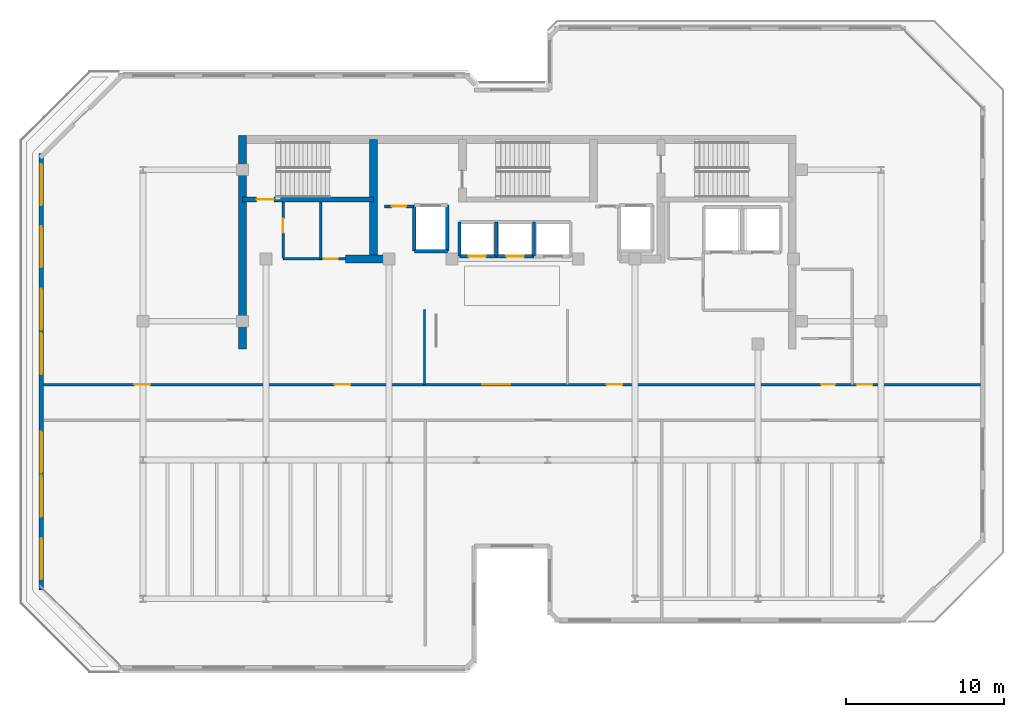
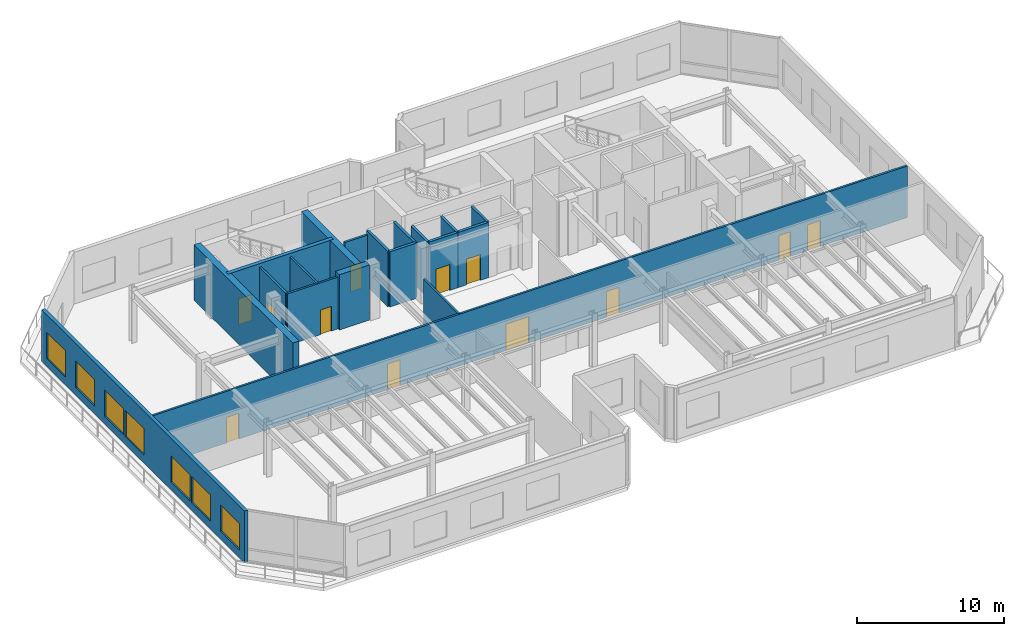
# One storey, part 6 of 14: 19 walls, 12 doors, 7 windows, 19 openings.
"""IFC4 building model written with IfcOpenShell, lengths in metres."""

from ifc_helpers import new_model, si_unit, direction, frame, frame_2d, origin, place, context, subcontext, project, spatial, rectangle, extrude, material, layer, layer_set, type_object, element, fill, save


model = new_model("IFC4")

# Units and contexts
model_context = context("Model", 3, precision=1e-05, world=origin(), true_north=direction((0.0, 1.0)))
body_context = subcontext(model_context, "Body", "Model", "MODEL_VIEW")
ifc_project = project(units=[si_unit("LENGTHUNIT", "METRE"), si_unit("AREAUNIT", "SQUARE_METRE"), si_unit("VOLUMEUNIT", "CUBIC_METRE"), si_unit("PLANEANGLEUNIT", "RADIAN"), si_unit("MASSUNIT", "GRAM", prefix="KILO")], contexts=[model_context])

# Site, building, storey
site_placement = place(None, origin())
site = spatial("IfcSite", under=ifc_project, at=site_placement, CompositionType="ELEMENT")
building_placement = place(site_placement, origin())
building = spatial("IfcBuilding", under=site, at=building_placement, Name="Kestravale Grand Hotel", CompositionType="ELEMENT")
storey_placement = place(building_placement, frame((0.0, 0.0, 297.39990234375)))
storey = spatial("IfcBuildingStorey", under=building, at=storey_placement, Name="L74", CompositionType="ELEMENT", Elevation=297.39990234375)

# Walls
ifc_material_1 = material(Name="Concrete f'c 50 MPa", Category="concrete")
ifc_layer_1 = layer(ifc_material_1, 0.5)
ifc_layer_set_1 = layer_set([ifc_layer_1], Name="EW-CORE-500")
wall_type_1 = type_object("IfcWallType", Name="EW-CORE-500", PredefinedType="SHEAR", material=ifc_layer_set_1)
wall_1_placement = place(storey_placement, frame((21.89990234375, 27.050048828125, 0.0), z_axis=(0.0, 0.0, 1.0), x_axis=(0.0, 1.0, 0.0)))
element("IfcWall", 1, at=wall_1_placement, inside=storey, type_object=wall_type_1, Name="L74 core shear wall W1", PredefinedType="SHEAR", context=body_context, shape_type="SweptSolid", body=[
    extrude(rectangle(XDim=13.52001953125, YDim=0.5, at=frame_2d((6.760009765625, 0.0))), origin(), (0.0, 0.0, 1.0), 4.60009765625),
])
wall_2_placement = place(storey_placement, frame((28.449951171875, 32.75, 0.0), z_axis=(0.0, 0.0, 1.0), x_axis=(1.0, 0.0, 0.0)))
element("IfcWall", 2, at=wall_2_placement, inside=storey, type_object=wall_type_1, Name="L74 core shear wall S1", PredefinedType="SHEAR", context=body_context, shape_type="SweptSolid", body=[
    extrude(rectangle(XDim=2.400146484375, YDim=0.5, at=frame_2d((1.2001953125, 0.0))), origin(), (0.0, 0.0, 1.0), 4.60009765625),
])
wall_3_placement = place(storey_placement, frame((30.219970703125, 33.0, 0.0), z_axis=(0.0, 0.0, 1.0), x_axis=(0.0, 1.0, 0.0)))
element("IfcWall", 3, at=wall_3_placement, inside=storey, type_object=wall_type_1, Name="L74 core shear wall X1", PredefinedType="SHEAR", context=body_context, shape_type="SweptSolid", body=[
    extrude(rectangle(XDim=7.320068359375, YDim=0.5, at=frame_2d((3.66015625, 0.0))), origin(), (0.0, 0.0, 1.0), 4.60009765625),
])

# Wall, openings, windows
ifc_material_2 = material(Name="Precast concrete f'c 45 MPa", Category="concrete")
ifc_layer_2 = layer(ifc_material_2, 0.280029296875)
ifc_layer_set_2 = layer_set([ifc_layer_2], Name="EW-PREC-280")
wall_type_2 = type_object("IfcWallType", Name="EW-PREC-280", PredefinedType="SOLIDWALL", material=ifc_layer_set_2)
wall_4_placement = place(storey_placement, frame((9.139892578125, 39.43994140625, 0.0), z_axis=(0.0, 0.0, 1.0), x_axis=(0.0, -1.0, 0.0)))
wall_4 = element("IfcWall", 4, at=wall_4_placement, inside=storey, type_object=wall_type_2, Name="L74 fluted precast facade wall 19", PredefinedType="SOLIDWALL", context=body_context, shape_type="SweptSolid", body=[
    extrude(rectangle(XDim=27.679931640625, YDim=0.280029296875, at=frame_2d((13.83984375, 0.0))), origin(), (0.0, 0.0, 1.0), 4.31005859375),
])
opening_1_placement = place(wall_4_placement, frame((0.677001953125, 0.0, 0.64990234375)))
opening_1 = element("IfcOpeningElement", 5, at=opening_1_placement, cuts=wall_4, Name="Opening W-SKY-2600", PredefinedType="OPENING", context=body_context, shape_type="SweptSolid", body=[
    extrude(rectangle(XDim=2.60009765625, YDim=2.199951171875, at=frame_2d((1.300048828125, 1.10009765625))), frame((0.0, 0.14990234375, 0.0), z_axis=(0.0, -1.0, 0.0), x_axis=(1.0, 0.0, 0.0)), (0.0, 0.0, 1.0), 0.300048828125),
])
opening_2_placement = place(wall_4_placement, frame((4.63134765625, 0.0, 0.64990234375)))
opening_2 = element("IfcOpeningElement", 6, at=opening_2_placement, cuts=wall_4, Name="Opening W-SKY-2600", PredefinedType="OPENING", context=body_context, shape_type="SweptSolid", body=[
    extrude(rectangle(XDim=2.60009765625, YDim=2.199951171875, at=frame_2d((1.300048828125, 1.10009765625))), frame((0.0, 0.14990234375, 0.0), z_axis=(0.0, -1.0, 0.0), x_axis=(1.0, 0.0, 0.0)), (0.0, 0.0, 1.0), 0.300048828125),
])
opening_3_placement = place(wall_4_placement, frame((8.585693359375, 0.0, 0.64990234375)))
opening_3 = element("IfcOpeningElement", 7, at=opening_3_placement, cuts=wall_4, Name="Opening W-SKY-2600", PredefinedType="OPENING", context=body_context, shape_type="SweptSolid", body=[
    extrude(rectangle(XDim=2.60009765625, YDim=2.199951171875, at=frame_2d((1.300048828125, 1.10009765625))), frame((0.0, 0.14990234375, 0.0), z_axis=(0.0, -1.0, 0.0), x_axis=(1.0, 0.0, 0.0)), (0.0, 0.0, 1.0), 0.300048828125),
])
opening_4_placement = place(wall_4_placement, frame((11.389892578125, 0.0, 0.64990234375)))
opening_4 = element("IfcOpeningElement", 8, at=opening_4_placement, cuts=wall_4, Name="Opening W-SKY-2600", PredefinedType="OPENING", context=body_context, shape_type="SweptSolid", body=[
    extrude(rectangle(XDim=2.60009765625, YDim=2.199951171875, at=frame_2d((1.300048828125, 1.10009765625))), frame((0.0, 0.14990234375, 0.0), z_axis=(0.0, -1.0, 0.0), x_axis=(1.0, 0.0, 0.0)), (0.0, 0.0, 1.0), 0.300048828125),
])
opening_5_placement = place(wall_4_placement, frame((17.644287109375, 0.0, 0.64990234375)))
opening_5 = element("IfcOpeningElement", 9, at=opening_5_placement, cuts=wall_4, Name="Opening W-SKY-2600", PredefinedType="OPENING", context=body_context, shape_type="SweptSolid", body=[
    extrude(rectangle(XDim=2.60009765625, YDim=2.199951171875, at=frame_2d((1.300048828125, 1.10009765625))), frame((0.0, 0.14990234375, 0.0), z_axis=(0.0, -1.0, 0.0), x_axis=(1.0, 0.0, 0.0)), (0.0, 0.0, 1.0), 0.300048828125),
])
opening_6_placement = place(wall_4_placement, frame((20.448486328125, 0.0, 0.64990234375)))
opening_6 = element("IfcOpeningElement", 10, at=opening_6_placement, cuts=wall_4, Name="Opening W-SKY-2600", PredefinedType="OPENING", context=body_context, shape_type="SweptSolid", body=[
    extrude(rectangle(XDim=2.60009765625, YDim=2.199951171875, at=frame_2d((1.300048828125, 1.10009765625))), frame((0.0, 0.14990234375, 0.0), z_axis=(0.0, -1.0, 0.0), x_axis=(1.0, 0.0, 0.0)), (0.0, 0.0, 1.0), 0.300048828125),
])
opening_7_placement = place(wall_4_placement, frame((24.40283203125, 0.0, 0.64990234375)))
opening_7 = element("IfcOpeningElement", 11, at=opening_7_placement, cuts=wall_4, Name="Opening W-SKY-2600", PredefinedType="OPENING", context=body_context, shape_type="SweptSolid", body=[
    extrude(rectangle(XDim=2.60009765625, YDim=2.199951171875, at=frame_2d((1.300048828125, 1.10009765625))), frame((0.0, 0.14990234375, 0.0), z_axis=(0.0, -1.0, 0.0), x_axis=(1.0, 0.0, 0.0)), (0.0, 0.0, 1.0), 0.300048828125),
])
ifc_material_3 = material(Name="Insulated low-E double glazing in aluminium frame", Category="aluminium")
window_type = type_object("IfcWindowType", Name="W-SKY-2600", PartitioningType="TRIPLE_PANEL_VERTICAL", PredefinedType="WINDOW", material=ifc_material_3)
window_1_placement = place(opening_1_placement, origin())
window_1 = element("IfcWindow", 12, at=window_1_placement, inside=storey, type_object=window_type, Name="L74 exterior window 19.1", OverallHeight=2.199951171875, OverallWidth=2.60009765625, PartitioningType="SINGLE_PANEL", PredefinedType="WINDOW", context=body_context, shape_type="SweptSolid", body=[
    extrude(rectangle(XDim=2.60009765625, YDim=2.199951171875, at=frame_2d((1.300048828125, 1.10009765625))), frame((0.0, 0.030029296875, 0.0), z_axis=(0.0, -1.0, 0.0), x_axis=(1.0, 0.0, 0.0)), (0.0, 0.0, 1.0), 0.06005859375),
])
fill(opening_1, window_1)
window_2_placement = place(opening_2_placement, origin())
window_2 = element("IfcWindow", 13, at=window_2_placement, inside=storey, type_object=window_type, Name="L74 exterior window 19.2", OverallHeight=2.199951171875, OverallWidth=2.60009765625, PartitioningType="SINGLE_PANEL", PredefinedType="WINDOW", context=body_context, shape_type="SweptSolid", body=[
    extrude(rectangle(XDim=2.60009765625, YDim=2.199951171875, at=frame_2d((1.300048828125, 1.10009765625))), frame((0.0, 0.030029296875, 0.0), z_axis=(0.0, -1.0, 0.0), x_axis=(1.0, 0.0, 0.0)), (0.0, 0.0, 1.0), 0.06005859375),
])
fill(opening_2, window_2)
window_3_placement = place(opening_3_placement, origin())
window_3 = element("IfcWindow", 14, at=window_3_placement, inside=storey, type_object=window_type, Name="L74 exterior window 19.3", OverallHeight=2.199951171875, OverallWidth=2.60009765625, PartitioningType="SINGLE_PANEL", PredefinedType="WINDOW", context=body_context, shape_type="SweptSolid", body=[
    extrude(rectangle(XDim=2.60009765625, YDim=2.199951171875, at=frame_2d((1.300048828125, 1.10009765625))), frame((0.0, 0.030029296875, 0.0), z_axis=(0.0, -1.0, 0.0), x_axis=(1.0, 0.0, 0.0)), (0.0, 0.0, 1.0), 0.06005859375),
])
fill(opening_3, window_3)
window_4_placement = place(opening_4_placement, origin())
window_4 = element("IfcWindow", 15, at=window_4_placement, inside=storey, type_object=window_type, Name="L74 exterior window 19.4", OverallHeight=2.199951171875, OverallWidth=2.60009765625, PartitioningType="SINGLE_PANEL", PredefinedType="WINDOW", context=body_context, shape_type="SweptSolid", body=[
    extrude(rectangle(XDim=2.60009765625, YDim=2.199951171875, at=frame_2d((1.300048828125, 1.10009765625))), frame((0.0, 0.030029296875, 0.0), z_axis=(0.0, -1.0, 0.0), x_axis=(1.0, 0.0, 0.0)), (0.0, 0.0, 1.0), 0.06005859375),
])
fill(opening_4, window_4)
window_5_placement = place(opening_5_placement, origin())
window_5 = element("IfcWindow", 16, at=window_5_placement, inside=storey, type_object=window_type, Name="L74 exterior window 19.5", OverallHeight=2.199951171875, OverallWidth=2.60009765625, PartitioningType="SINGLE_PANEL", PredefinedType="WINDOW", context=body_context, shape_type="SweptSolid", body=[
    extrude(rectangle(XDim=2.60009765625, YDim=2.199951171875, at=frame_2d((1.300048828125, 1.10009765625))), frame((0.0, 0.030029296875, 0.0), z_axis=(0.0, -1.0, 0.0), x_axis=(1.0, 0.0, 0.0)), (0.0, 0.0, 1.0), 0.06005859375),
])
fill(opening_5, window_5)
window_6_placement = place(opening_6_placement, origin())
window_6 = element("IfcWindow", 17, at=window_6_placement, inside=storey, type_object=window_type, Name="L74 exterior window 19.6", OverallHeight=2.199951171875, OverallWidth=2.60009765625, PartitioningType="SINGLE_PANEL", PredefinedType="WINDOW", context=body_context, shape_type="SweptSolid", body=[
    extrude(rectangle(XDim=2.60009765625, YDim=2.199951171875, at=frame_2d((1.300048828125, 1.10009765625))), frame((0.0, 0.030029296875, 0.0), z_axis=(0.0, -1.0, 0.0), x_axis=(1.0, 0.0, 0.0)), (0.0, 0.0, 1.0), 0.06005859375),
])
fill(opening_6, window_6)
window_7_placement = place(opening_7_placement, origin())
window_7 = element("IfcWindow", 18, at=window_7_placement, inside=storey, type_object=window_type, Name="L74 exterior window 19.7", OverallHeight=2.199951171875, OverallWidth=2.60009765625, PartitioningType="SINGLE_PANEL", PredefinedType="WINDOW", context=body_context, shape_type="SweptSolid", body=[
    extrude(rectangle(XDim=2.60009765625, YDim=2.199951171875, at=frame_2d((1.300048828125, 1.10009765625))), frame((0.0, 0.030029296875, 0.0), z_axis=(0.0, -1.0, 0.0), x_axis=(1.0, 0.0, 0.0)), (0.0, 0.0, 1.0), 0.06005859375),
])
fill(opening_7, window_7)

# Wall, opening, door
ifc_material_4 = material(Name="Concrete f'c 45 MPa", Category="concrete")
ifc_layer_3 = layer(ifc_material_4, 0.300048828125)
ifc_layer_set_3 = layer_set([ifc_layer_3], Name="EW-STAIR-300")
wall_type_3 = type_object("IfcWallType", Name="EW-STAIR-300", PredefinedType="SHEAR", material=ifc_layer_set_3)
wall_5_placement = place(storey_placement, frame((21.89990234375, 36.52001953125, 0.0), z_axis=(0.0, 0.0, 1.0), x_axis=(1.0, 0.0, 0.0)))
wall_5 = element("IfcWall", 19, at=wall_5_placement, inside=storey, type_object=wall_type_3, Name="L74 stair enclosure shear wall SST1", PredefinedType="SHEAR", context=body_context, shape_type="SweptSolid", body=[
    extrude(rectangle(XDim=8.320068359375, YDim=0.300048828125, at=frame_2d((4.16015625, 0.0))), origin(), (0.0, 0.0, 1.0), 4.60009765625),
])
opening_8_placement = place(wall_5_placement, frame((0.89990234375, 0.0, 0.0)))
opening_8 = element("IfcOpeningElement", 20, at=opening_8_placement, cuts=wall_5, Name="Opening D-ST-1100", PredefinedType="OPENING", context=body_context, shape_type="SweptSolid", body=[
    extrude(rectangle(XDim=1.10009765625, YDim=2.14990234375, at=frame_2d((0.550048828125, 1.074951171875))), frame((0.0, 0.159912109375, 0.0), z_axis=(0.0, -1.0, 0.0), x_axis=(1.0, 0.0, 0.0)), (0.0, 0.0, 1.0), 0.320068359375),
])
ifc_material_5 = material(Name="Galvanised 90-minute fire-rated steel stair door", Category="steel")
door_type_1 = type_object("IfcDoorType", Name="D-ST-1100", OperationType="NOTDEFINED", PredefinedType="DOOR", material=ifc_material_5)
door_1_placement = place(opening_8_placement, origin())
door_1 = element("IfcDoor", 21, at=door_1_placement, inside=storey, type_object=door_type_1, Name="L74 Stair ST-1 fire door", OperationType="SINGLE_SWING_RIGHT", OverallHeight=2.14990234375, OverallWidth=1.10009765625, PredefinedType="DOOR", context=body_context, shape_type="SweptSolid", body=[
    extrude(rectangle(XDim=1.10009765625, YDim=2.14990234375, at=frame_2d((0.550048828125, 1.074951171875))), frame((0.0, 0.02490234375, 0.0), z_axis=(0.0, -1.0, 0.0), x_axis=(1.0, 0.0, 0.0)), (0.0, 0.0, 1.0), 0.050048828125),
])
fill(opening_8, door_1)

ifc_material_6 = material(Name="Acoustic fire-rated gypsum board partition", Category="other")
ifc_layer_4 = layer(ifc_material_6, 0.159912109375)
ifc_layer_set_4 = layer_set([ifc_layer_4], Name="IW-CORR-160")
wall_type_4 = type_object("IfcWallType", Name="IW-CORR-160", PredefinedType="PARTITIONING", material=ifc_layer_set_4)
wall_6_placement = place(storey_placement, frame((24.47998046875, 32.800048828125, 0.0), z_axis=(0.0, 0.0, 1.0), x_axis=(0.0, 1.0, 0.0)))
wall_6 = element("IfcWall", 22, at=wall_6_placement, inside=storey, type_object=wall_type_4, Name="L74 west core vestibule wall", PredefinedType="PARTITIONING", context=body_context, shape_type="SweptSolid", body=[
    extrude(rectangle(XDim=3.570068359375, YDim=0.159912109375, at=frame_2d((1.78515625, 0.0))), origin(), (0.0, 0.0, 1.0), 4.31005859375),
])
opening_9_placement = place(wall_6_placement, frame((1.603515625, 0.0, 0.0)))
opening_9 = element("IfcOpeningElement", 23, at=opening_9_placement, cuts=wall_6, Name="Opening D-SH-900", PredefinedType="OPENING", context=body_context, shape_type="SweptSolid", body=[
    extrude(rectangle(XDim=0.89990234375, YDim=2.10009765625, at=frame_2d((0.449951171875, 1.050048828125))), frame((0.0, 0.08984375, 0.0), z_axis=(0.0, -1.0, 0.0), x_axis=(1.0, 0.0, 0.0)), (0.0, 0.0, 1.0), 0.179931640625),
])
ifc_material_7 = material(Name="Galvanised 90-minute shaft and service fire door", Category="steel")
door_type_2 = type_object("IfcDoorType", Name="D-SH-900", OperationType="NOTDEFINED", PredefinedType="DOOR", material=ifc_material_7)
door_2_placement = place(opening_9_placement, origin())
door_2 = element("IfcDoor", 24, at=door_2_placement, inside=storey, type_object=door_type_2, Name="D-L74-HK", OperationType="SINGLE_SWING_RIGHT", OverallHeight=2.10009765625, OverallWidth=0.89990234375, PredefinedType="DOOR", context=body_context, shape_type="SweptSolid", body=[
    extrude(rectangle(XDim=0.89990234375, YDim=2.10009765625, at=frame_2d((0.449951171875, 1.050048828125))), frame((0.0, 0.02490234375, 0.0), z_axis=(0.0, -1.0, 0.0), x_axis=(1.0, 0.0, 0.0)), (0.0, 0.0, 1.0), 0.050048828125),
])
fill(opening_9, door_2)

wall_7_placement = place(storey_placement, frame((24.47998046875, 32.75, 0.0), z_axis=(0.0, 0.0, 1.0), x_axis=(1.0, 0.0, 0.0)))
wall_7 = element("IfcWall", 25, at=wall_7_placement, inside=storey, type_object=wall_type_4, Name="W-L74-CWS", PredefinedType="PARTITIONING", context=body_context, shape_type="SweptSolid", body=[
    extrude(rectangle(XDim=3.969970703125, YDim=0.159912109375, at=frame_2d((1.98486328125, 0.0))), origin(), (0.0, 0.0, 1.0), 4.31005859375),
])
opening_10_placement = place(wall_7_placement, frame((2.574951171875, 0.0, 0.0)))
opening_10 = element("IfcOpeningElement", 26, at=opening_10_placement, cuts=wall_7, Name="Opening D-BATH-880", PredefinedType="OPENING", context=body_context, shape_type="SweptSolid", body=[
    extrude(rectangle(XDim=0.8798828125, YDim=2.050048828125, at=frame_2d((0.43994140625, 1.02490234375))), frame((0.0, 0.08984375, 0.0), z_axis=(0.0, -1.0, 0.0), x_axis=(1.0, 0.0, 0.0)), (0.0, 0.0, 1.0), 0.179931640625),
])
ifc_material_8 = material(Name="Moisture-sealed walnut en-suite bathroom door", Category="wood")
door_type_3 = type_object("IfcDoorType", Name="D-BATH-880", OperationType="NOTDEFINED", PredefinedType="DOOR", material=ifc_material_8)
door_3_placement = place(opening_10_placement, origin())
door_3 = element("IfcDoor", 27, at=door_3_placement, inside=storey, type_object=door_type_3, Name="D-L74-SWC", OperationType="SINGLE_SWING_RIGHT", OverallHeight=2.050048828125, OverallWidth=0.8798828125, PredefinedType="DOOR", context=body_context, shape_type="SweptSolid", body=[
    extrude(rectangle(XDim=0.8798828125, YDim=2.050048828125, at=frame_2d((0.43994140625, 1.02490234375))), frame((0.0, 0.02490234375, 0.0), z_axis=(0.0, -1.0, 0.0), x_axis=(1.0, 0.0, 0.0)), (0.0, 0.0, 1.0), 0.050048828125),
])
fill(opening_10, door_3)

# Wall, openings, doors
wall_8_placement = place(storey_placement, frame((9.300048828125, 24.780029296875, 0.0), z_axis=(0.0, 0.0, 1.0), x_axis=(1.0, 0.0, 0.0)))
wall_8 = element("IfcWall", 28, at=wall_8_placement, inside=storey, type_object=wall_type_4, Name="W-L74-SC-N", PredefinedType="PARTITIONING", context=body_context, shape_type="SweptSolid", body=[
    extrude(rectangle(XDim=59.39990234375, YDim=0.159912109375, at=frame_2d((29.699951171875, 0.0))), origin(), (0.0, 0.0, 1.0), 4.31005859375),
])
opening_11_placement = place(wall_8_placement, frame((27.800048828125, 0.0, 0.0)))
opening_11 = element("IfcOpeningElement", 29, at=opening_11_placement, cuts=wall_8, Name="Opening D-CORR-1800", PredefinedType="OPENING", context=body_context, shape_type="SweptSolid", body=[
    extrude(rectangle(XDim=1.800048828125, YDim=2.199951171875, at=frame_2d((0.89990234375, 1.10009765625))), frame((0.0, 0.08984375, 0.0), z_axis=(0.0, -1.0, 0.0), x_axis=(1.0, 0.0, 0.0)), (0.0, 0.0, 1.0), 0.179931640625),
])
opening_12_placement = place(wall_8_placement, frame((18.449951171875, 0.0, 0.0)))
opening_12 = element("IfcOpeningElement", 30, at=opening_12_placement, cuts=wall_8, Name="Opening D-GUEST-1000", PredefinedType="OPENING", context=body_context, shape_type="SweptSolid", body=[
    extrude(rectangle(XDim=1.0, YDim=2.14990234375, at=frame_2d((0.5, 1.074951171875))), frame((0.0, 0.08984375, 0.0), z_axis=(0.0, -1.0, 0.0), x_axis=(1.0, 0.0, 0.0)), (0.0, 0.0, 1.0), 0.179931640625),
])
opening_13_placement = place(wall_8_placement, frame((35.699951171875, 0.0, 0.0)))
opening_13 = element("IfcOpeningElement", 31, at=opening_13_placement, cuts=wall_8, Name="Opening D-GUEST-1000", PredefinedType="OPENING", context=body_context, shape_type="SweptSolid", body=[
    extrude(rectangle(XDim=1.0, YDim=2.14990234375, at=frame_2d((0.5, 1.074951171875))), frame((0.0, 0.08984375, 0.0), z_axis=(0.0, -1.0, 0.0), x_axis=(1.0, 0.0, 0.0)), (0.0, 0.0, 1.0), 0.179931640625),
])
opening_14_placement = place(wall_8_placement, frame((5.75, 0.0, 0.0)))
opening_14 = element("IfcOpeningElement", 32, at=opening_14_placement, cuts=wall_8, Name="Opening D-GUEST-1000", PredefinedType="OPENING", context=body_context, shape_type="SweptSolid", body=[
    extrude(rectangle(XDim=1.0, YDim=2.14990234375, at=frame_2d((0.5, 1.074951171875))), frame((0.0, 0.08984375, 0.0), z_axis=(0.0, -1.0, 0.0), x_axis=(1.0, 0.0, 0.0)), (0.0, 0.0, 1.0), 0.179931640625),
])
opening_15_placement = place(wall_8_placement, frame((49.31005859375, 0.0, 0.0)))
opening_15 = element("IfcOpeningElement", 33, at=opening_15_placement, cuts=wall_8, Name="Opening D-BATH-880", PredefinedType="OPENING", context=body_context, shape_type="SweptSolid", body=[
    extrude(rectangle(XDim=0.8798828125, YDim=2.050048828125, at=frame_2d((0.43994140625, 1.02490234375))), frame((0.0, 0.08984375, 0.0), z_axis=(0.0, -1.0, 0.0), x_axis=(1.0, 0.0, 0.0)), (0.0, 0.0, 1.0), 0.179931640625),
])
opening_16_placement = place(wall_8_placement, frame((51.550048828125, 0.0, 0.0)))
opening_16 = element("IfcOpeningElement", 34, at=opening_16_placement, cuts=wall_8, Name="Opening D-GUEST-1000", PredefinedType="OPENING", context=body_context, shape_type="SweptSolid", body=[
    extrude(rectangle(XDim=1.0, YDim=2.14990234375, at=frame_2d((0.5, 1.074951171875))), frame((0.0, 0.08984375, 0.0), z_axis=(0.0, -1.0, 0.0), x_axis=(1.0, 0.0, 0.0)), (0.0, 0.0, 1.0), 0.179931640625),
])
door_4_placement = place(opening_15_placement, origin())
door_4 = element("IfcDoor", 35, at=door_4_placement, inside=storey, type_object=door_type_3, Name="D-L74-WCA", OperationType="SINGLE_SWING_RIGHT", OverallHeight=2.050048828125, OverallWidth=0.8798828125, PredefinedType="DOOR", context=body_context, shape_type="SweptSolid", body=[
    extrude(rectangle(XDim=0.8798828125, YDim=2.050048828125, at=frame_2d((0.43994140625, 1.02490234375))), frame((0.0, 0.02490234375, 0.0), z_axis=(0.0, -1.0, 0.0), x_axis=(1.0, 0.0, 0.0)), (0.0, 0.0, 1.0), 0.050048828125),
])
fill(opening_15, door_4)
ifc_material_9 = material(Name="Double-leaf glazed bronze acoustic corridor fire door", Category="aluminium")
door_type_4 = type_object("IfcDoorType", Name="D-CORR-1800", OperationType="NOTDEFINED", PredefinedType="DOOR", material=ifc_material_9)
door_5_placement = place(opening_11_placement, origin())
door_5 = element("IfcDoor", 36, at=door_5_placement, inside=storey, type_object=door_type_4, Name="D-L74-LCONN", OperationType="DOUBLE_DOOR_SINGLE_SWING", OverallHeight=2.199951171875, OverallWidth=1.800048828125, PredefinedType="DOOR", context=body_context, shape_type="SweptSolid", body=[
    extrude(rectangle(XDim=1.800048828125, YDim=2.199951171875, at=frame_2d((0.89990234375, 1.10009765625))), frame((0.0, 0.02490234375, 0.0), z_axis=(0.0, -1.0, 0.0), x_axis=(1.0, 0.0, 0.0)), (0.0, 0.0, 1.0), 0.050048828125),
])
fill(opening_11, door_5)
ifc_material_10 = material(Name="Accessible walnut veneer hotel entrance fire door", Category="wood")
door_type_5 = type_object("IfcDoorType", Name="D-GUEST-1000", OperationType="NOTDEFINED", PredefinedType="DOOR", material=ifc_material_10)
door_6_placement = place(opening_12_placement, origin())
door_6 = element("IfcDoor", 37, at=door_6_placement, inside=storey, type_object=door_type_5, Name="D-L74-RECL-W", OperationType="SINGLE_SWING_RIGHT", OverallHeight=2.14990234375, OverallWidth=1.0, PredefinedType="DOOR", context=body_context, shape_type="SweptSolid", body=[
    extrude(rectangle(XDim=1.0, YDim=2.14990234375, at=frame_2d((0.5, 1.074951171875))), frame((0.0, 0.02490234375, 0.0), z_axis=(0.0, -1.0, 0.0), x_axis=(1.0, 0.0, 0.0)), (0.0, 0.0, 1.0), 0.050048828125),
])
fill(opening_12, door_6)
door_7_placement = place(opening_13_placement, origin())
door_7 = element("IfcDoor", 38, at=door_7_placement, inside=storey, type_object=door_type_5, Name="D-L74-RECL-E", OperationType="SINGLE_SWING_LEFT", OverallHeight=2.14990234375, OverallWidth=1.0, PredefinedType="DOOR", context=body_context, shape_type="SweptSolid", body=[
    extrude(rectangle(XDim=1.0, YDim=2.14990234375, at=frame_2d((0.5, 1.074951171875))), frame((0.0, 0.02490234375, 0.0), z_axis=(0.0, -1.0, 0.0), x_axis=(1.0, 0.0, 0.0)), (0.0, 0.0, 1.0), 0.050048828125),
])
fill(opening_13, door_7)
door_8_placement = place(opening_14_placement, origin())
door_8 = element("IfcDoor", 39, at=door_8_placement, inside=storey, type_object=door_type_5, Name="D-L74-NW", OperationType="SINGLE_SWING_LEFT", OverallHeight=2.14990234375, OverallWidth=1.0, PredefinedType="DOOR", context=body_context, shape_type="SweptSolid", body=[
    extrude(rectangle(XDim=1.0, YDim=2.14990234375, at=frame_2d((0.5, 1.074951171875))), frame((0.0, 0.02490234375, 0.0), z_axis=(0.0, -1.0, 0.0), x_axis=(1.0, 0.0, 0.0)), (0.0, 0.0, 1.0), 0.050048828125),
])
fill(opening_14, door_8)
door_9_placement = place(opening_16_placement, origin())
door_9 = element("IfcDoor", 40, at=door_9_placement, inside=storey, type_object=door_type_5, Name="L74 NE Gallery Door", OperationType="SINGLE_SWING_LEFT", OverallHeight=2.14990234375, OverallWidth=1.0, PredefinedType="DOOR", context=body_context, shape_type="SweptSolid", body=[
    extrude(rectangle(XDim=1.0, YDim=2.14990234375, at=frame_2d((0.5, 1.074951171875))), frame((0.0, 0.02490234375, 0.0), z_axis=(0.0, -1.0, 0.0), x_axis=(1.0, 0.0, 0.0)), (0.0, 0.0, 1.0), 0.050048828125),
])
fill(opening_16, door_9)

# Wall, opening, door
ifc_material_11 = material(Name="Fire-rated gypsum board on steel studs with mineral wool", Category="steel")
ifc_layer_5 = layer(ifc_material_11, 0.179931640625)
ifc_layer_set_5 = layer_set([ifc_layer_5], Name="IW-FSAE-180")
wall_type_5 = type_object("IfcWallType", Name="IW-FSAE-180", PredefinedType="PARTITIONING", material=ifc_layer_set_5)
wall_9_placement = place(storey_placement, frame((30.89990234375, 36.080078125, 0.0), z_axis=(0.0, 0.0, 1.0), x_axis=(1.0, 0.0, 0.0)))
wall_9 = element("IfcWall", 41, at=wall_9_placement, inside=storey, type_object=wall_type_5, Name="L74 FSAE Lobby 1 smoke barrier", PredefinedType="PARTITIONING", context=body_context, shape_type="SweptSolid", body=[
    extrude(rectangle(XDim=1.85009765625, YDim=0.179931640625, at=frame_2d((0.925048828125, 0.0))), origin(), (0.0, 0.0, 1.0), 4.31005859375),
])
opening_17_placement = place(wall_9_placement, frame((0.47998046875, 0.0, 0.0)))
opening_17 = element("IfcOpeningElement", 42, at=opening_17_placement, cuts=wall_9, Name="Opening D-FSAE-1000", PredefinedType="OPENING", context=body_context, shape_type="SweptSolid", body=[
    extrude(rectangle(XDim=0.89990234375, YDim=2.14990234375, at=frame_2d((0.449951171875, 1.074951171875))), frame((0.0, 0.099853515625, 0.0), z_axis=(0.0, -1.0, 0.0), x_axis=(1.0, 0.0, 0.0)), (0.0, 0.0, 1.0), 0.199951171875),
])
ifc_material_12 = material(Name="Smoke-gasketed FSAE lobby fire door", Category="steel")
door_type_6 = type_object("IfcDoorType", Name="D-FSAE-1000", OperationType="NOTDEFINED", PredefinedType="DOOR", material=ifc_material_12)
door_10_placement = place(opening_17_placement, origin())
door_10 = element("IfcDoor", 43, at=door_10_placement, inside=storey, type_object=door_type_6, Name="L74 FSAE Lobby 1 fire door", OperationType="SINGLE_SWING_RIGHT", OverallHeight=2.14990234375, OverallWidth=0.89990234375, PredefinedType="DOOR", context=body_context, shape_type="SweptSolid", body=[
    extrude(rectangle(XDim=0.89990234375, YDim=2.14990234375, at=frame_2d((0.449951171875, 1.074951171875))), frame((0.0, 0.02490234375, 0.0), z_axis=(0.0, -1.0, 0.0), x_axis=(1.0, 0.0, 0.0)), (0.0, 0.0, 1.0), 0.050048828125),
])
fill(opening_17, door_10)

# Walls
ifc_material_13 = material(Name="Concrete f'c 45 MPa", Category="concrete")
ifc_layer_6 = layer(ifc_material_13, 0.199951171875)
ifc_layer_set_6 = layer_set([ifc_layer_6], Name="IW-SHAFT-200")
wall_type_6 = type_object("IfcWallType", Name="IW-SHAFT-200", PredefinedType="SHEAR", material=ifc_layer_set_6)
for number, where, z_axis, x_axis, name in (
    (44, (35.679931640625, 32.919921875, 0.0), (0.0, 0.0, 1.0), (0.0, 1.0, 0.0), "L74 PL-X1 west shaft wall"),
    (45, (38.0, 32.919921875, 0.0), (0.0, 0.0, 1.0), (0.0, 1.0, 0.0), "L74 PL-X2 west shaft wall"),
    (46, (40.39990234375, 32.919921875, 0.0), (0.0, 0.0, 1.0), (0.0, 1.0, 0.0), "L74 PL-X3 west shaft wall"),
):
    element("IfcWall", number, at=place(storey_placement, frame(where, z_axis=z_axis, x_axis=x_axis)), inside=storey, type_object=wall_type_6, Name=name, PredefinedType="SHEAR", context=body_context, shape_type="SweptSolid", body=[
        extrude(rectangle(XDim=2.16015625, YDim=0.199951171875, at=frame_2d((1.080078125, 0.0))), origin(), (0.0, 0.0, 1.0), 4.60009765625),
    ])
for number, where, z_axis, x_axis, name in (
    (47, (32.804931640625, 33.2451171875, 0.0), (0.0, 0.0, 1.0), (0.0, 1.0, 0.0), "L74 FL-1 west shaft wall"),
    (48, (34.89501953125, 33.2451171875, 0.0), (0.0, 0.0, 1.0), (0.0, 1.0, 0.0), "L74 FL-1 east shaft wall"),
):
    element("IfcWall", number, at=place(storey_placement, frame(where, z_axis=z_axis, x_axis=x_axis)), inside=storey, type_object=wall_type_6, Name=name, PredefinedType="SHEAR", context=body_context, shape_type="SweptSolid", body=[
        extrude(rectangle(XDim=2.909912109375, YDim=0.199951171875, at=frame_2d((1.455078125, 0.0))), origin(), (0.0, 0.0, 1.0), 4.60009765625),
    ])

# Wall, opening, door
ifc_material_14 = material(Name="Concrete f'c 45 MPa", Category="concrete")
ifc_layer_7 = layer(ifc_material_14, 0.219970703125)
ifc_layer_set_7 = layer_set([ifc_layer_7], Name="IW-SHAFT-220")
wall_type_7 = type_object("IfcWallType", Name="IW-SHAFT-220", PredefinedType="SHEAR", material=ifc_layer_set_7)
wall_10_placement = place(storey_placement, frame((35.679931640625, 32.919921875, 0.0), z_axis=(0.0, 0.0, 1.0), x_axis=(1.0, 0.0, 0.0)))
wall_10 = element("IfcWall", 49, at=wall_10_placement, inside=storey, type_object=wall_type_7, Name="L74 PL-X1 south shaft wall", PredefinedType="SHEAR", context=body_context, shape_type="SweptSolid", body=[
    extrude(rectangle(XDim=2.320068359375, YDim=0.219970703125, at=frame_2d((1.16015625, 0.0))), origin(), (0.0, 0.0, 1.0), 4.60009765625),
])
opening_18_placement = place(wall_10_placement, frame((0.570068359375, 0.0, 0.0)))
opening_18 = element("IfcOpeningElement", 50, at=opening_18_placement, cuts=wall_10, Name="Opening LD-PAX-1100", PredefinedType="OPENING", context=body_context, shape_type="SweptSolid", body=[
    extrude(rectangle(XDim=1.10009765625, YDim=2.14990234375, at=frame_2d((0.550048828125, 1.074951171875))), frame((0.0, 0.119873046875, 0.0), z_axis=(0.0, -1.0, 0.0), x_axis=(1.0, 0.0, 0.0)), (0.0, 0.0, 1.0), 0.239990234375),
])
ifc_material_15 = material(Name="Champagne-bronze center-opening sliding elevator landing door", Category="steel")
door_type_7 = type_object("IfcDoorType", Name="LD-PAX-1100", OperationType="NOTDEFINED", PredefinedType="DOOR", material=ifc_material_15)
door_11_placement = place(opening_18_placement, origin())
door_11 = element("IfcDoor", 51, at=door_11_placement, inside=storey, type_object=door_type_7, Name="L74 PL-X1 elevator landing sliding door", OperationType="DOUBLE_DOOR_SLIDING", OverallHeight=2.14990234375, OverallWidth=1.10009765625, PredefinedType="DOOR", context=body_context, shape_type="SweptSolid", body=[
    extrude(rectangle(XDim=1.10009765625, YDim=2.14990234375, at=frame_2d((0.550048828125, 1.074951171875))), frame((0.0, 0.02490234375, 0.0), z_axis=(0.0, -1.0, 0.0), x_axis=(1.0, 0.0, 0.0)), (0.0, 0.0, 1.0), 0.050048828125),
])
fill(opening_18, door_11)

wall_11_placement = place(storey_placement, frame((38.0, 32.919921875, 0.0), z_axis=(0.0, 0.0, 1.0), x_axis=(1.0, 0.0, 0.0)))
wall_11 = element("IfcWall", 52, at=wall_11_placement, inside=storey, type_object=wall_type_7, Name="L74 PL-X2 south shaft wall", PredefinedType="SHEAR", context=body_context, shape_type="SweptSolid", body=[
    extrude(rectangle(XDim=2.39990234375, YDim=0.219970703125, at=frame_2d((1.199951171875, 0.0))), origin(), (0.0, 0.0, 1.0), 4.60009765625),
])
opening_19_placement = place(wall_11_placement, frame((0.64990234375, 0.0, 0.0)))
opening_19 = element("IfcOpeningElement", 53, at=opening_19_placement, cuts=wall_11, Name="Opening LD-PAX-1100", PredefinedType="OPENING", context=body_context, shape_type="SweptSolid", body=[
    extrude(rectangle(XDim=1.10009765625, YDim=2.14990234375, at=frame_2d((0.550048828125, 1.074951171875))), frame((0.0, 0.119873046875, 0.0), z_axis=(0.0, -1.0, 0.0), x_axis=(1.0, 0.0, 0.0)), (0.0, 0.0, 1.0), 0.239990234375),
])
door_12_placement = place(opening_19_placement, origin())
door_12 = element("IfcDoor", 54, at=door_12_placement, inside=storey, type_object=door_type_7, Name="L74 PL-X2 elevator landing sliding door", OperationType="DOUBLE_DOOR_SLIDING", OverallHeight=2.14990234375, OverallWidth=1.10009765625, PredefinedType="DOOR", context=body_context, shape_type="SweptSolid", body=[
    extrude(rectangle(XDim=1.10009765625, YDim=2.14990234375, at=frame_2d((0.550048828125, 1.074951171875))), frame((0.0, 0.02490234375, 0.0), z_axis=(0.0, -1.0, 0.0), x_axis=(1.0, 0.0, 0.0)), (0.0, 0.0, 1.0), 0.050048828125),
])
fill(opening_19, door_12)

# Walls
wall_12_placement = place(storey_placement, frame((32.804931640625, 33.2451171875, 0.0), z_axis=(0.0, 0.0, 1.0), x_axis=(1.0, 0.0, 0.0)))
element("IfcWall", 55, at=wall_12_placement, inside=storey, type_object=wall_type_7, Name="L74 FL-1 south shaft wall", PredefinedType="SHEAR", context=body_context, shape_type="SweptSolid", body=[
    extrude(rectangle(XDim=2.090087890625, YDim=0.219970703125, at=frame_2d((1.044921875, 0.0))), origin(), (0.0, 0.0, 1.0), 4.60009765625),
])
ifc_material_16 = material(Name="Double-stud STC 52 acoustic demising partition", Category="other")
ifc_layer_8 = layer(ifc_material_16, 0.14990234375)
ifc_layer_set_8 = layer_set([ifc_layer_8], Name="IW-UNIT-150")
wall_type_8 = type_object("IfcWallType", Name="IW-UNIT-150", PredefinedType="PARTITIONING", material=ifc_layer_set_8)
wall_13_placement = place(storey_placement, frame((26.8798828125, 32.75, 0.0), z_axis=(0.0, 0.0, 1.0), x_axis=(0.0, 1.0, 0.0)))
element("IfcWall", 56, at=wall_13_placement, inside=storey, type_object=wall_type_8, Name="W-L74-CC3-V", PredefinedType="PARTITIONING", context=body_context, shape_type="SweptSolid", body=[
    extrude(rectangle(XDim=3.6201171875, YDim=0.14990234375, at=frame_2d((1.81005859375, 0.0))), origin(), (0.0, 0.0, 1.0), 4.31005859375),
])
wall_14_placement = place(storey_placement, frame((33.449951171875, 24.780029296875, 0.0), z_axis=(0.0, 0.0, 1.0), x_axis=(0.0, 1.0, 0.0)))
element("IfcWall", 57, at=wall_14_placement, inside=storey, type_object=wall_type_8, Name="W-L74-RCLW-E", PredefinedType="PARTITIONING", context=body_context, shape_type="SweptSolid", body=[
    extrude(rectangle(XDim=4.77001953125, YDim=0.14990234375, at=frame_2d((2.385009765625, 0.0))), origin(), (0.0, 0.0, 1.0), 4.31005859375),
])

save(model, "model.ifc")
